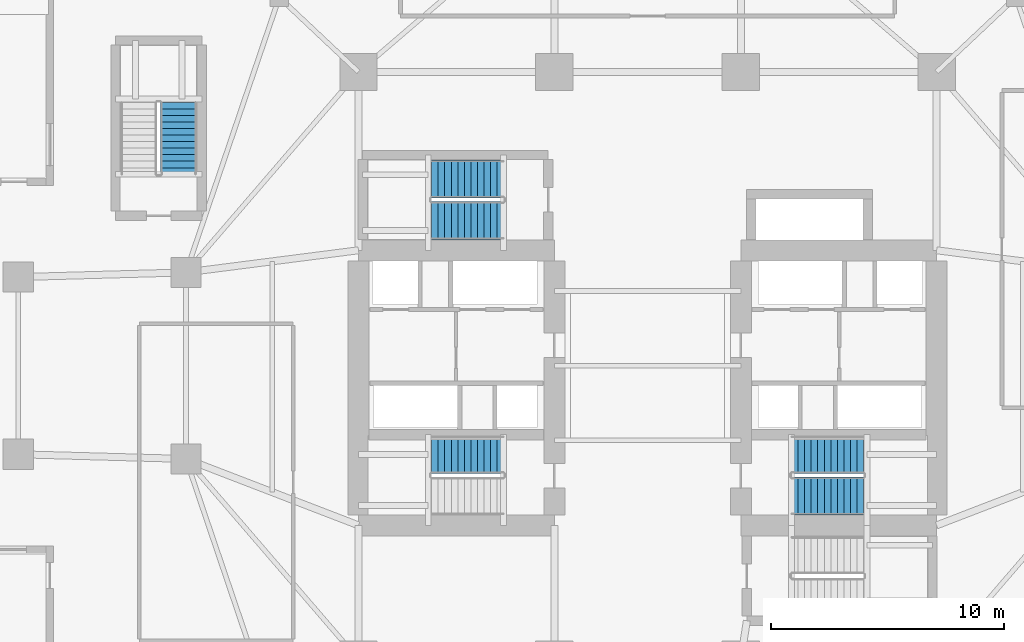
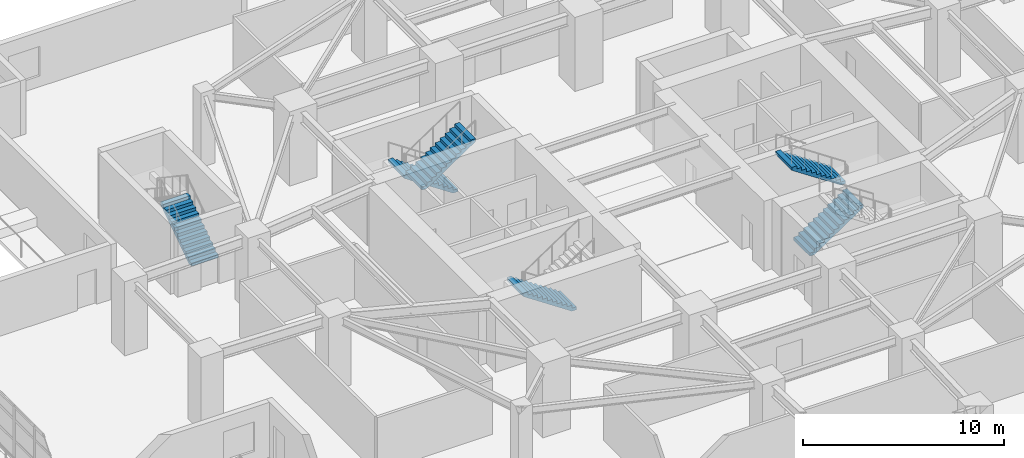
# One storey, part 18 of 24: 6 stair flights, 4 elements without a shape of their own.
"""IFC4 building model written with IfcOpenShell, lengths in metres."""

from ifc_helpers import new_model, si_unit, direction, frame, origin, place, context, subcontext, project, spatial, polyline, outline, extrude, material, layer, layer_set, type_object, element, aggregate, save


model = new_model("IFC4")

# Units and contexts
model_context = context("Model", 3, precision=1e-05, world=origin(), true_north=direction((0.0, 1.0)))
body_context = subcontext(model_context, "Body", "Model", "MODEL_VIEW")
ifc_project = project(units=[si_unit("LENGTHUNIT", "METRE"), si_unit("AREAUNIT", "SQUARE_METRE"), si_unit("VOLUMEUNIT", "CUBIC_METRE"), si_unit("PLANEANGLEUNIT", "RADIAN"), si_unit("MASSUNIT", "GRAM", prefix="KILO")], contexts=[model_context])

# Site, building, storey
site_placement = place(None, origin())
site = spatial("IfcSite", under=ifc_project, at=site_placement, CompositionType="ELEMENT")
building_placement = place(site_placement, origin())
building = spatial("IfcBuilding", under=site, at=building_placement, Name="Qingluan Cross Belvedere", CompositionType="ELEMENT")
storey_placement = place(building_placement, frame((0.0, 0.0, 14.699951171875)))
storey = spatial("IfcBuildingStorey", under=building, at=storey_placement, Name="L04", CompositionType="ELEMENT", Elevation=14.699951171875)

# Stair, stair flight
ifc_material_1 = material(Name="Concrete C40", Category="concrete")
stair_type_1 = type_object("IfcStairType", Name="PodiumExitStair_1550", PredefinedType="HALF_TURN_STAIR", material=ifc_material_1)
stair_1_placement = place(storey_placement, origin())
stair_1 = element("IfcStair", 1, at=stair_1_placement, inside=storey, type_object=stair_type_1, Name="L04 ST5", PredefinedType="HALF_TURN_STAIR")
ifc_material_2 = material(Name="Concrete C40", Category="concrete")
ifc_layer_1 = layer(ifc_material_2, 0.179931640625, Name="PodiumStairFlight_RC180")
ifc_layer_set_1 = layer_set([ifc_layer_1], Name="Concrete C40")
stair_flight_type_1 = type_object("IfcStairFlightType", Name="PodiumStairFlight_RC180", PredefinedType="STRAIGHT", material=ifc_layer_set_1)
stair_flight_1_placement = place(storey_placement, frame((-20.114990234375, 8.2099609375, 0.0), z_axis=(0.0, 0.0, 1.0), x_axis=(0.0, 1.0, 0.0)))
stair_flight_1 = element("IfcStairFlight", 2, at=stair_flight_1_placement, type_object=stair_flight_type_1, Name="ST5 flight 1", NumberOfRisers=12, NumberOfTreads=11, PredefinedType="STRAIGHT", RiserHeight=0.1875, TreadLength=0.28, context=body_context, shape_type="SweptSolid", body=[
    extrude(outline(polyline([(0.0, 0.0), (0.0, 0.1875), (0.280029296875, 0.1875), (0.280029296875, 0.375), (0.56005859375, 0.375), (0.56005859375, 0.5625), (0.840087890625, 0.5625), (0.840087890625, 0.75), (1.1201171875, 0.75), (1.1201171875, 0.9375), (1.39990234375, 0.9375), (1.39990234375, 1.125), (1.679931640625, 1.125), (1.679931640625, 1.3125), (1.9599609375, 1.3125), (1.9599609375, 1.5), (2.239990234375, 1.5), (2.239990234375, 1.6875), (2.52001953125, 1.6875), (2.52001953125, 1.875), (2.800048828125, 1.875), (2.800048828125, 2.0625), (3.080078125, 2.0625), (3.080078125, 2.25), (3.080078125, 1.882080078125), (0.26953125, 0.0), (0.0, 0.0)])), frame((0.0, 0.77490234375, 0.0), z_axis=(0.0, -1.0, 0.0), x_axis=(1.0, 0.0, 0.0)), (0.0, 0.0, 1.0), 1.550048828125),
])
aggregate(stair_1, [stair_flight_1])

ifc_material_3 = material(Name="Concrete C40", Category="concrete")
stair_type_2 = type_object("IfcStairType", Name="CoreDoglegStair_1620", PredefinedType="HALF_TURN_STAIR", material=ifc_material_3)
stair_2_placement = place(storey_placement, origin())
stair_2 = element("IfcStair", 3, at=stair_2_placement, inside=storey, type_object=stair_type_2, Name="L04 ST1", PredefinedType="HALF_TURN_STAIR")
ifc_material_4 = material(Name="Concrete C40", Category="concrete")
ifc_layer_2 = layer(ifc_material_4, 0.179931640625, Name="StairFlight_RC180")
ifc_layer_set_2 = layer_set([ifc_layer_2], Name="Concrete C40")
stair_flight_type_2 = type_object("IfcStairFlightType", Name="StairFlight_RC180", PredefinedType="STRAIGHT", material=ifc_layer_set_2)
stair_flight_2_placement = place(storey_placement, frame((-6.179931640625, -3.81005859375, 0.0), z_axis=(0.0, 0.0, 1.0), x_axis=(-1.0, 0.0, 0.0)))
stair_flight_2 = element("IfcStairFlight", 4, at=stair_flight_2_placement, type_object=stair_flight_type_2, Name="ST1 flight 1", NumberOfRisers=12, NumberOfTreads=11, PredefinedType="STRAIGHT", RiserHeight=0.1875, TreadLength=0.28, context=body_context, shape_type="SweptSolid", body=[
    extrude(outline(polyline([(0.0, 0.0), (0.0, 0.1875), (0.280029296875, 0.1875), (0.280029296875, 0.375), (0.56005859375, 0.375), (0.56005859375, 0.5625), (0.840087890625, 0.5625), (0.840087890625, 0.75), (1.1201171875, 0.75), (1.1201171875, 0.9375), (1.39990234375, 0.9375), (1.39990234375, 1.125), (1.679931640625, 1.125), (1.679931640625, 1.3125), (1.9599609375, 1.3125), (1.9599609375, 1.5), (2.239990234375, 1.5), (2.239990234375, 1.6875), (2.52001953125, 1.6875), (2.52001953125, 1.875), (2.800048828125, 1.875), (2.800048828125, 2.0625), (3.080078125, 2.0625), (3.080078125, 2.25), (3.080078125, 1.882080078125), (0.26953125, 0.0), (0.0, 0.0)])), frame((0.0, 0.81005859375, 0.0), z_axis=(0.0, -1.0, 0.0), x_axis=(1.0, 0.0, 0.0)), (0.0, 0.0, 1.0), 1.6201171875),
])
aggregate(stair_2, [stair_flight_2])

# Stair, stair flights
stair_3_placement = place(storey_placement, origin())
stair_3 = element("IfcStair", 5, at=stair_3_placement, inside=storey, type_object=stair_type_2, Name="L04 ST2", PredefinedType="HALF_TURN_STAIR")
stair_flight_3_placement = place(storey_placement, frame((6.179931640625, -5.590087890625, 0.0), z_axis=(0.0, 0.0, 1.0), x_axis=(1.0, 0.0, 0.0)))
stair_flight_3 = element("IfcStairFlight", 6, at=stair_flight_3_placement, type_object=stair_flight_type_2, Name="ST2 flight 1", NumberOfRisers=12, NumberOfTreads=11, PredefinedType="STRAIGHT", RiserHeight=0.1875, TreadLength=0.28, context=body_context, shape_type="SweptSolid", body=[
    extrude(outline(polyline([(0.0, 0.0), (0.0, 0.1875), (0.280029296875, 0.1875), (0.280029296875, 0.375), (0.56005859375, 0.375), (0.56005859375, 0.5625), (0.840087890625, 0.5625), (0.840087890625, 0.75), (1.1201171875, 0.75), (1.1201171875, 0.9375), (1.39990234375, 0.9375), (1.39990234375, 1.125), (1.679931640625, 1.125), (1.679931640625, 1.3125), (1.9599609375, 1.3125), (1.9599609375, 1.5), (2.239990234375, 1.5), (2.239990234375, 1.6875), (2.52001953125, 1.6875), (2.52001953125, 1.875), (2.800048828125, 1.875), (2.800048828125, 2.0625), (3.080078125, 2.0625), (3.080078125, 2.25), (3.080078125, 1.882080078125), (0.26953125, 0.0), (0.0, 0.0)])), frame((0.0, 0.81005859375, 0.0), z_axis=(0.0, -1.0, 0.0), x_axis=(1.0, 0.0, 0.0)), (0.0, 0.0, 1.0), 1.6201171875),
])
stair_flight_4_placement = place(storey_placement, frame((9.260009765625, -3.81005859375, 2.25), z_axis=(0.0, 0.0, 1.0), x_axis=(-1.0, 0.0, 0.0)))
stair_flight_4 = element("IfcStairFlight", 7, at=stair_flight_4_placement, type_object=stair_flight_type_2, Name="ST2 flight 2", NumberOfRisers=12, NumberOfTreads=11, PredefinedType="STRAIGHT", RiserHeight=0.1875, TreadLength=0.28, context=body_context, shape_type="SweptSolid", body=[
    extrude(outline(polyline([(0.0, 0.0), (0.0, 0.1875), (0.280029296875, 0.1875), (0.280029296875, 0.375), (0.56005859375, 0.375), (0.56005859375, 0.5625), (0.840087890625, 0.5625), (0.840087890625, 0.75), (1.1201171875, 0.75), (1.1201171875, 0.9375), (1.39990234375, 0.9375), (1.39990234375, 1.125), (1.679931640625, 1.125), (1.679931640625, 1.3125), (1.9599609375, 1.3125), (1.9599609375, 1.5), (2.239990234375, 1.5), (2.239990234375, 1.6875), (2.52001953125, 1.6875), (2.52001953125, 1.875), (2.800048828125, 1.875), (2.800048828125, 2.0625), (3.080078125, 2.0625), (3.080078125, 2.25), (3.080078125, 1.882080078125), (0.26953125, 0.0), (0.0, 0.0)])), frame((0.0, 0.81005859375, 0.0), z_axis=(0.0, -1.0, 0.0), x_axis=(1.0, 0.0, 0.0)), (0.0, 0.0, 1.0), 1.6201171875),
])
aggregate(stair_3, [stair_flight_3, stair_flight_4])

stair_4_placement = place(storey_placement, origin())
stair_4 = element("IfcStair", 8, at=stair_4_placement, inside=storey, type_object=stair_type_2, Name="L04 ST3", PredefinedType="HALF_TURN_STAIR")
stair_flight_5_placement = place(storey_placement, frame((-6.179931640625, 8.010009765625, 0.0), z_axis=(0.0, 0.0, 1.0), x_axis=(-1.0, 0.0, 0.0)))
stair_flight_5 = element("IfcStairFlight", 9, at=stair_flight_5_placement, type_object=stair_flight_type_2, Name="ST3 flight 1", NumberOfRisers=12, NumberOfTreads=11, PredefinedType="STRAIGHT", RiserHeight=0.1875, TreadLength=0.28, context=body_context, shape_type="SweptSolid", body=[
    extrude(outline(polyline([(0.0, 0.0), (0.0, 0.1875), (0.280029296875, 0.1875), (0.280029296875, 0.375), (0.56005859375, 0.375), (0.56005859375, 0.5625), (0.840087890625, 0.5625), (0.840087890625, 0.75), (1.1201171875, 0.75), (1.1201171875, 0.9375), (1.39990234375, 0.9375), (1.39990234375, 1.125), (1.679931640625, 1.125), (1.679931640625, 1.3125), (1.9599609375, 1.3125), (1.9599609375, 1.5), (2.239990234375, 1.5), (2.239990234375, 1.6875), (2.52001953125, 1.6875), (2.52001953125, 1.875), (2.800048828125, 1.875), (2.800048828125, 2.0625), (3.080078125, 2.0625), (3.080078125, 2.25), (3.080078125, 1.882080078125), (0.26953125, 0.0), (0.0, 0.0)])), frame((0.0, 0.81005859375, 0.0), z_axis=(0.0, -1.0, 0.0), x_axis=(1.0, 0.0, 0.0)), (0.0, 0.0, 1.0), 1.6201171875),
])
stair_flight_6_placement = place(storey_placement, frame((-9.260009765625, 6.22998046875, 2.25), z_axis=(0.0, 0.0, 1.0), x_axis=(1.0, 0.0, 0.0)))
stair_flight_6 = element("IfcStairFlight", 10, at=stair_flight_6_placement, type_object=stair_flight_type_2, Name="ST3 flight 2", NumberOfRisers=12, NumberOfTreads=11, PredefinedType="STRAIGHT", RiserHeight=0.1875, TreadLength=0.28, context=body_context, shape_type="SweptSolid", body=[
    extrude(outline(polyline([(0.0, 0.0), (0.0, 0.1875), (0.280029296875, 0.1875), (0.280029296875, 0.375), (0.56005859375, 0.375), (0.56005859375, 0.5625), (0.840087890625, 0.5625), (0.840087890625, 0.75), (1.1201171875, 0.75), (1.1201171875, 0.9375), (1.39990234375, 0.9375), (1.39990234375, 1.125), (1.679931640625, 1.125), (1.679931640625, 1.3125), (1.9599609375, 1.3125), (1.9599609375, 1.5), (2.239990234375, 1.5), (2.239990234375, 1.6875), (2.52001953125, 1.6875), (2.52001953125, 1.875), (2.800048828125, 1.875), (2.800048828125, 2.0625), (3.080078125, 2.0625), (3.080078125, 2.25), (3.080078125, 1.882080078125), (0.26953125, 0.0), (0.0, 0.0)])), frame((0.0, 0.81005859375, 0.0), z_axis=(0.0, -1.0, 0.0), x_axis=(1.0, 0.0, 0.0)), (0.0, 0.0, 1.0), 1.6201171875),
])
aggregate(stair_4, [stair_flight_5, stair_flight_6])

save(model, "model.ifc")
